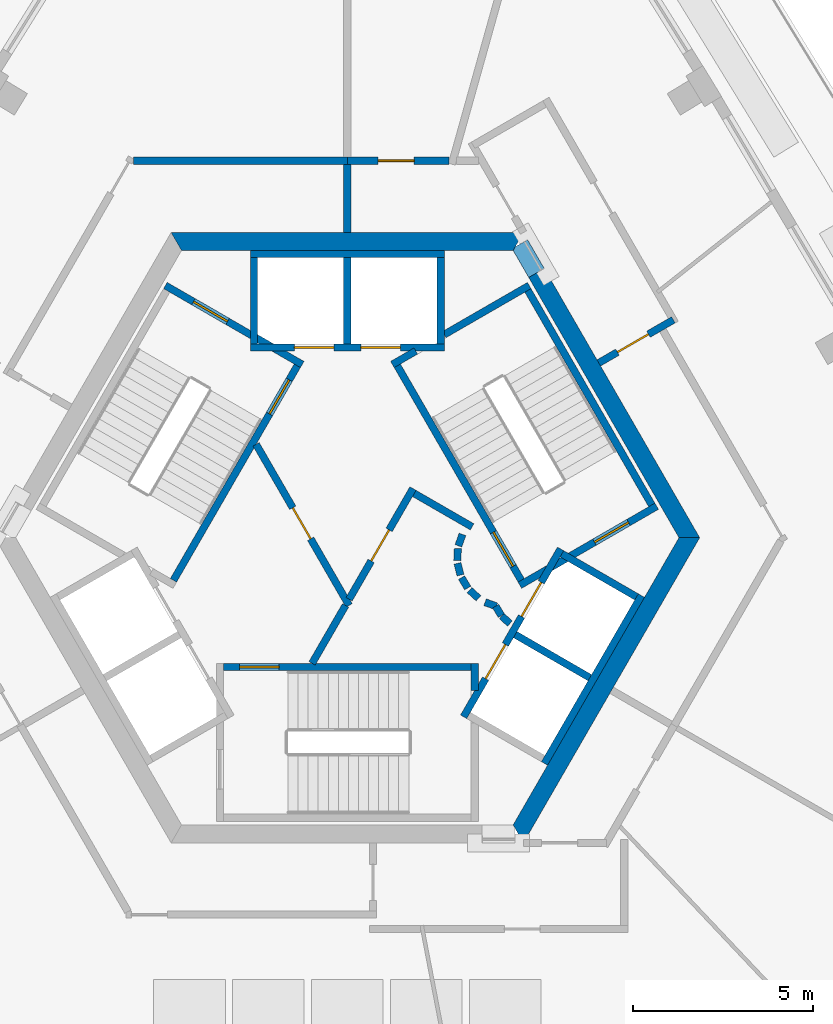
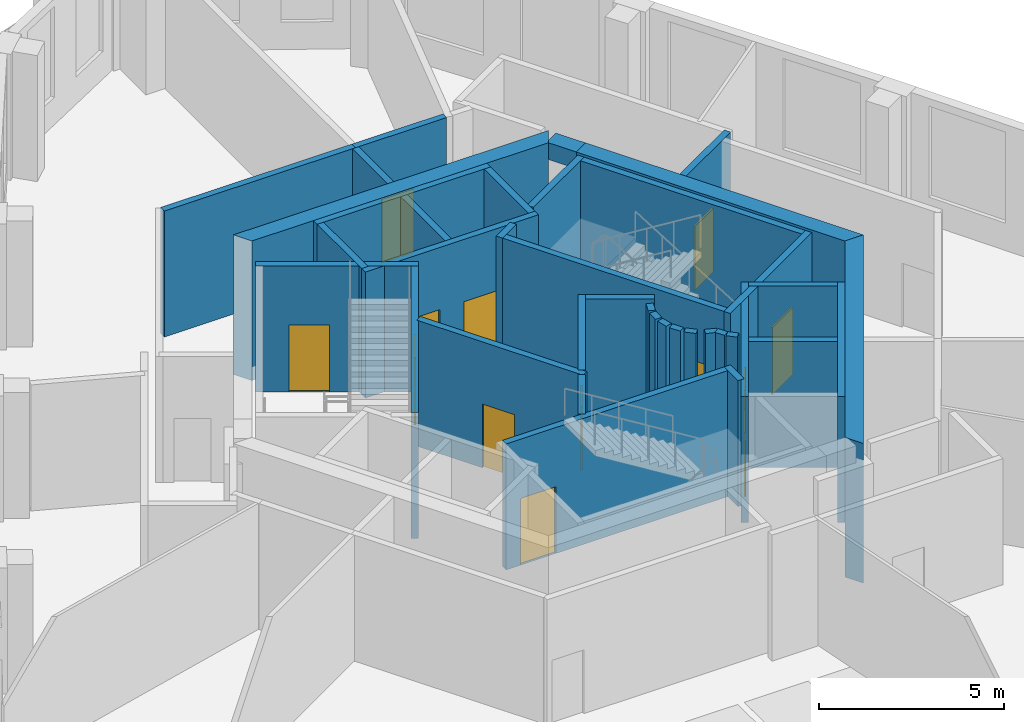
# One storey, part 4 of 9: 38 walls, 13 doors, 13 openings.
"""IFC4 building model written with IfcOpenShell, lengths in metres."""

from ifc_helpers import new_model, si_unit, direction, frame, frame_2d, origin, place, context, subcontext, project, spatial, polyline, rectangle, outline, extrude, material, layer, layer_set, type_object, element, fill, save


model = new_model("IFC4")

# Units and contexts
model_context = context("Model", 3, precision=1e-05, world=origin(), true_north=direction((0.0, 1.0)))
body_context = subcontext(model_context, "Body", "Model", "MODEL_VIEW")
ifc_project = project(units=[si_unit("LENGTHUNIT", "METRE"), si_unit("AREAUNIT", "SQUARE_METRE"), si_unit("VOLUMEUNIT", "CUBIC_METRE"), si_unit("PLANEANGLEUNIT", "RADIAN"), si_unit("MASSUNIT", "GRAM", prefix="KILO")], contexts=[model_context])

# Site, building, storey
site_placement = place(None, origin())
site = spatial("IfcSite", under=ifc_project, at=site_placement, CompositionType="ELEMENT")
building_placement = place(site_placement, origin())
building = spatial("IfcBuilding", under=site, at=building_placement, Name="Entoto Arch Interchange Tower", CompositionType="ELEMENT")
storey_placement = place(building_placement, frame((0.0, 0.0, 331.39990234375)))
storey = spatial("IfcBuildingStorey", under=building, at=storey_placement, Name="L78", CompositionType="ELEMENT", Elevation=331.39990234375)

# Walls
ifc_material_1 = material(Name="Concrete C40/50", Category="concrete")
ifc_layer_1 = layer(ifc_material_1, 0.5)
ifc_layer_set_1 = layer_set([ifc_layer_1], Name="Concrete C40/50")
wall_type_1 = type_object("IfcWallType", Name="Core wall 500 C40/50", PredefinedType="SHEAR", material=ifc_layer_set_1)
wall_1_placement = place(storey_placement, frame((0.0, 0.0, -0.449951171875)))
element("IfcWall", 1, at=wall_1_placement, inside=storey, type_object=wall_type_1, Name="Core wall NE L78", PredefinedType="SHEAR", context=body_context, shape_type="SweptSolid", body=[
    extrude(outline(polyline([(5.486083984375, 9.998046875), (5.052978515625, 9.748046875), (9.238037109375, 2.5), (9.81494140625, 2.5), (5.486083984375, 9.998046875)])), origin(), (0.0, 0.0, 1.0), 4.60009765625),
])
wall_2_placement = place(storey_placement, frame((0.0, 0.0, 3.60009765625)))
element("IfcWall", 2, at=wall_2_placement, inside=storey, type_object=wall_type_1, Name="Core wall lintel NE L78", PredefinedType="SHEAR", context=body_context, shape_type="SweptSolid", body=[
    extrude(outline(polyline([(5.02197265625, 10.800048828125), (4.677001953125, 10.60107421875), (4.618896484375, 10.5), (5.052978515625, 9.748046875), (5.486083984375, 9.998046875), (5.02197265625, 10.800048828125)])), origin(), (0.0, 0.0, 1.0), 0.550048828125),
])
wall_3_placement = place(storey_placement, frame((0.0, 0.0, -0.449951171875)))
element("IfcWall", 3, at=wall_3_placement, inside=storey, type_object=wall_type_1, Name="Core wall N L78", PredefinedType="SHEAR", context=body_context, shape_type="SweptSolid", body=[
    extrude(outline(polyline([(4.906982421875, 11.0), (-4.906982421875, 11.0), (-4.618896484375, 10.5), (4.618896484375, 10.5), (4.906982421875, 11.0)])), origin(), (0.0, 0.0, 1.0), 4.60009765625),
])
wall_4_placement = place(storey_placement, frame((0.0, 0.0, -0.449951171875)))
element("IfcWall", 4, at=wall_4_placement, inside=storey, type_object=wall_type_1, Name="Core wall SE L78", PredefinedType="SHEAR", context=body_context, shape_type="SweptSolid", body=[
    extrude(outline(polyline([(4.906982421875, -6.0), (9.81494140625, 2.5), (9.238037109375, 2.5), (4.618896484375, -5.5), (4.906982421875, -6.0)])), origin(), (0.0, 0.0, 1.0), 4.60009765625),
])

# Wall, openings, doors
ifc_layer_2 = layer(ifc_material_1, 0.199951171875)
ifc_layer_set_2 = layer_set([ifc_layer_2], Name="Concrete C40/50")
wall_type_2 = type_object("IfcWallType", Name="LIFT SHAFT WALL 200", PredefinedType="STANDARD", material=ifc_layer_set_2)
wall_5_placement = place(storey_placement, frame((2.699951171875, 7.800048828125, 0.0), z_axis=(0.0, 0.0, 1.0), x_axis=(-1.0, 0.0, 0.0)))
wall_5 = element("IfcWall", 5, at=wall_5_placement, inside=storey, type_object=wall_type_2, Name="Shaft wall N1 front", PredefinedType="STANDARD", context=body_context, shape_type="SweptSolid", body=[
    extrude(rectangle(XDim=5.39990234375, YDim=0.199951171875, at=frame_2d((2.699951171875, 0.0))), origin(), (0.0, 0.0, 1.0), 4.150146484375),
])
opening_1_placement = place(wall_5_placement, frame((1.22509765625, 0.0, 0.0)))
opening_1 = element("IfcOpeningElement", 6, at=opening_1_placement, cuts=wall_5, Name="Opening LD-HR1-L78", PredefinedType="OPENING", context=body_context, shape_type="SweptSolid", body=[
    extrude(rectangle(XDim=1.10009765625, YDim=2.10009765625, at=frame_2d((0.550048828125, 1.050048828125))), frame((0.0, 0.10986328125, 0.0), z_axis=(0.0, -1.0, 0.0), x_axis=(1.0, 0.0, 0.0)), (0.0, 0.0, 1.0), 0.219970703125),
])
opening_2_placement = place(wall_5_placement, frame((3.074951171875, 0.0, 0.0)))
opening_2 = element("IfcOpeningElement", 7, at=opening_2_placement, cuts=wall_5, Name="Opening LD-HR2-L78", PredefinedType="OPENING", context=body_context, shape_type="SweptSolid", body=[
    extrude(rectangle(XDim=1.10009765625, YDim=2.10009765625, at=frame_2d((0.550048828125, 1.050048828125))), frame((0.0, 0.10986328125, 0.0), z_axis=(0.0, -1.0, 0.0), x_axis=(1.0, 0.0, 0.0)), (0.0, 0.0, 1.0), 0.219970703125),
])
ifc_material_2 = material(Name="Stainless steel 1.4301 panels", Category="steel")
door_type_1 = type_object("IfcDoorType", Name="LIFT LANDING DOOR LD1 1100x2100", OperationType="SLIDING_TO_LEFT", PredefinedType="DOOR", material=ifc_material_2)
door_1_placement = place(opening_1_placement, origin())
door_1 = element("IfcDoor", 8, at=door_1_placement, inside=storey, type_object=door_type_1, Name="Lift landing door HR1 L78", OperationType="SLIDING_TO_LEFT", OverallHeight=2.10009765625, OverallWidth=1.10009765625, PredefinedType="DOOR", context=body_context, shape_type="SweptSolid", body=[
    extrude(rectangle(XDim=1.10009765625, YDim=2.10009765625, at=frame_2d((0.550048828125, 1.050048828125))), frame((0.0, 0.02490234375, 0.0), z_axis=(0.0, -1.0, 0.0), x_axis=(1.0, 0.0, 0.0)), (0.0, 0.0, 1.0), 0.050048828125),
])
fill(opening_1, door_1)
door_2_placement = place(opening_2_placement, origin())
door_2 = element("IfcDoor", 9, at=door_2_placement, inside=storey, type_object=door_type_1, Name="Lift landing door HR2 L78", OperationType="SLIDING_TO_LEFT", OverallHeight=2.10009765625, OverallWidth=1.10009765625, PredefinedType="DOOR", context=body_context, shape_type="SweptSolid", body=[
    extrude(rectangle(XDim=1.10009765625, YDim=2.10009765625, at=frame_2d((0.550048828125, 1.050048828125))), frame((0.0, 0.02490234375, 0.0), z_axis=(0.0, -1.0, 0.0), x_axis=(1.0, 0.0, 0.0)), (0.0, 0.0, 1.0), 0.050048828125),
])
fill(opening_2, door_2)

# Walls
wall_6_placement = place(storey_placement, frame((2.699951171875, 10.39990234375, 0.0), z_axis=(0.0, 0.0, 1.0), x_axis=(-1.0, 0.0, 0.0)))
element("IfcWall", 10, at=wall_6_placement, inside=storey, type_object=wall_type_2, Name="Shaft wall N1 back", PredefinedType="STANDARD", context=body_context, shape_type="SweptSolid", body=[
    extrude(rectangle(XDim=5.39990234375, YDim=0.199951171875, at=frame_2d((2.699951171875, 0.0))), origin(), (0.0, 0.0, 1.0), 4.150146484375),
])
for number, where, z_axis, x_axis, name in (
    (11, (2.60009765625, 7.89990234375, 0.0), (0.0, 0.0, 1.0), (0.0, 1.0, 0.0), "Shaft wall N1 cross 1"),
    (12, (0.0, 7.89990234375, 0.0), (0.0, 0.0, 1.0), (0.0, 1.0, 0.0), "Shaft wall N1 cross 2"),
    (13, (-2.60009765625, 7.89990234375, 0.0), (0.0, 0.0, 1.0), (0.0, 1.0, 0.0), "Shaft wall N1 cross 3"),
):
    element("IfcWall", number, at=place(storey_placement, frame(where, z_axis=z_axis, x_axis=x_axis)), inside=storey, type_object=wall_type_2, Name=name, PredefinedType="STANDARD", context=body_context, shape_type="SweptSolid", body=[
        extrude(rectangle(XDim=2.400146484375, YDim=0.199951171875, at=frame_2d((1.2001953125, 0.0))), origin(), (0.0, 0.0, 1.0), 4.150146484375),
    ])

# Wall, openings, doors
wall_7_placement = place(storey_placement, frame((3.239990234375, -2.488037109375, 0.0), z_axis=(0.0, 0.0, 1.0), x_axis=(0.500034260056, 0.866005622828, 0.0)))
wall_7 = element("IfcWall", 14, at=wall_7_placement, inside=storey, type_object=wall_type_2, Name="Shaft wall SE1 front", PredefinedType="STANDARD", context=body_context, shape_type="SweptSolid", body=[
    extrude(rectangle(XDim=5.3994140625, YDim=0.199951171875, at=frame_2d((2.69970703125, 0.0))), origin(), (0.0, 0.0, 1.0), 4.150146484375),
])
opening_3_placement = place(wall_7_placement, frame((3.22509765625, 0.0, 0.0)))
opening_3 = element("IfcOpeningElement", 15, at=opening_3_placement, cuts=wall_7, Name="Opening LD-HR3-L78", PredefinedType="OPENING", context=body_context, shape_type="SweptSolid", body=[
    extrude(rectangle(XDim=1.10009765625, YDim=2.10009765625, at=frame_2d((0.550048828125, 1.050048828125))), frame((0.0, 0.10986328125, 0.0), z_axis=(0.0, -1.0, 0.0), x_axis=(1.0, 0.0, 0.0)), (0.0, 0.0, 1.0), 0.219970703125),
])
opening_4_placement = place(wall_7_placement, frame((1.22509765625, 0.0, 0.0)))
opening_4 = element("IfcOpeningElement", 16, at=opening_4_placement, cuts=wall_7, Name="Opening LD-FF1-L78", PredefinedType="OPENING", context=body_context, shape_type="SweptSolid", body=[
    extrude(rectangle(XDim=1.10009765625, YDim=2.10009765625, at=frame_2d((0.550048828125, 1.050048828125))), frame((0.0, 0.10986328125, 0.0), z_axis=(0.0, -1.0, 0.0), x_axis=(1.0, 0.0, 0.0)), (0.0, 0.0, 1.0), 0.219970703125),
])
door_3_placement = place(opening_3_placement, origin())
door_3 = element("IfcDoor", 17, at=door_3_placement, inside=storey, type_object=door_type_1, Name="Lift landing door HR3 L78", OperationType="SLIDING_TO_LEFT", OverallHeight=2.10009765625, OverallWidth=1.10009765625, PredefinedType="DOOR", context=body_context, shape_type="SweptSolid", body=[
    extrude(rectangle(XDim=1.10009765625, YDim=2.10009765625, at=frame_2d((0.550048828125, 1.050048828125))), frame((0.0, 0.02490234375, 0.0), z_axis=(0.0, -1.0, 0.0), x_axis=(1.0, 0.0, 0.0)), (0.0, 0.0, 1.0), 0.050048828125),
])
fill(opening_3, door_3)
door_4_placement = place(opening_4_placement, origin())
door_4 = element("IfcDoor", 18, at=door_4_placement, inside=storey, type_object=door_type_1, Name="Lift landing door FF1 L78", OperationType="SLIDING_TO_LEFT", OverallHeight=2.10009765625, OverallWidth=1.10009765625, PredefinedType="DOOR", context=body_context, shape_type="SweptSolid", body=[
    extrude(rectangle(XDim=1.10009765625, YDim=2.10009765625, at=frame_2d((0.550048828125, 1.050048828125))), frame((0.0, 0.02490234375, 0.0), z_axis=(0.0, -1.0, 0.0), x_axis=(1.0, 0.0, 0.0)), (0.0, 0.0, 1.0), 0.050048828125),
])
fill(opening_4, door_4)

# Walls
wall_8_placement = place(storey_placement, frame((5.491943359375, -3.7880859375, 0.0), z_axis=(0.0, 0.0, 1.0), x_axis=(0.500034260056, 0.866005622828, 0.0)))
element("IfcWall", 19, at=wall_8_placement, inside=storey, type_object=wall_type_2, Name="Shaft wall SE1 back", PredefinedType="STANDARD", context=body_context, shape_type="SweptSolid", body=[
    extrude(rectangle(XDim=5.3994140625, YDim=0.199951171875, at=frame_2d((2.69970703125, 0.0))), origin(), (0.0, 0.0, 1.0), 4.150146484375),
])
for number, where, z_axis, x_axis, name in (
    (20, (4.677001953125, -0.199951171875, 0.0), (0.0, 0.0, 1.0), (0.865973769406, -0.500089422704, 0.0), "Shaft wall SE1 cross 2"),
    (21, (5.97705078125, 2.052001953125, 0.0), (0.0, 0.0, 1.0), (0.865973769406, -0.500089422704, 0.0), "Shaft wall SE1 cross 3"),
):
    element("IfcWall", number, at=place(storey_placement, frame(where, z_axis=z_axis, x_axis=x_axis)), inside=storey, type_object=wall_type_2, Name=name, PredefinedType="STANDARD", context=body_context, shape_type="SweptSolid", body=[
        extrude(rectangle(XDim=2.3994140625, YDim=0.199951171875, at=frame_2d((1.19970703125, 0.0))), origin(), (0.0, 0.0, 1.0), 4.150146484375),
    ])
ifc_material_3 = material(Name="Gypsum board partition on steel studs", Category="steel")
ifc_layer_3 = layer(ifc_material_3, 0.199951171875)
ifc_layer_set_3 = layer_set([ifc_layer_3], Name="Gypsum board partition on steel studs")
wall_type_3 = type_object("IfcWallType", Name="PARTITION 200", PredefinedType="PARTITIONING", material=ifc_layer_set_3)
wall_9_placement = place(storey_placement, frame((-0.98193359375, -1.0, 0.0), z_axis=(0.0, 0.0, 1.0), x_axis=(0.50024047865, 0.865886518847, 0.0)))
element("IfcWall", 22, at=wall_9_placement, inside=storey, type_object=wall_type_3, Name="wall:L78:p001", PredefinedType="PARTITIONING", context=body_context, shape_type="SweptSolid", body=[
    extrude(rectangle(XDim=1.86279296875, YDim=0.199951171875, at=frame_2d((0.931396484375, 0.0))), origin(), (0.0, 0.0, 1.0), 4.150146484375),
])
wall_10_placement = place(storey_placement, frame((1.865966796875, 3.73193359375, 0.0), z_axis=(0.0, 0.0, 1.0), x_axis=(0.866043361281, -0.499968895414, 0.0)))
element("IfcWall", 23, at=wall_10_placement, inside=storey, type_object=wall_type_3, Name="wall:L78:p002", PredefinedType="PARTITIONING", context=body_context, shape_type="SweptSolid", body=[
    extrude(rectangle(XDim=1.85791015625, YDim=0.199951171875, at=frame_2d((0.928955078125, 0.0))), origin(), (0.0, 0.0, 1.0), 4.150146484375),
])
wall_11_placement = place(storey_placement, frame((3.2080078125, 2.592041015625, 0.0), z_axis=(0.0, 0.0, 1.0), x_axis=(-0.337388820924, -0.941365382578, 0.0)))
element("IfcWall", 24, at=wall_11_placement, inside=storey, type_object=wall_type_3, Name="wall:L78:p003", PredefinedType="PARTITIONING", context=body_context, shape_type="SweptSolid", body=[
    extrude(rectangle(XDim=0.337890625, YDim=0.199951171875, at=frame_2d((0.1689453125, 0.0))), origin(), (0.0, 0.0, 1.0), 4.150146484375),
])
wall_12_placement = place(storey_placement, frame((3.0791015625, 2.198974609375, 0.0), z_axis=(0.0, 0.0, 1.0), x_axis=(-0.047771483479, -0.998858290933, 0.0)))
element("IfcWall", 25, at=wall_12_placement, inside=storey, type_object=wall_type_3, Name="wall:L78:p004", PredefinedType="PARTITIONING", context=body_context, shape_type="SweptSolid", body=[
    extrude(rectangle(XDim=0.33740234375, YDim=0.199951171875, at=frame_2d((0.168701171875, 0.0))), origin(), (0.0, 0.0, 1.0), 4.150146484375),
])
wall_13_placement = place(storey_placement, frame((3.070068359375, 1.785888671875, 0.0), z_axis=(0.0, 0.0, 1.0), x_axis=(0.242705583207, -0.970099994784, 0.0)))
element("IfcWall", 26, at=wall_13_placement, inside=storey, type_object=wall_type_3, Name="wall:L78:p005", PredefinedType="PARTITIONING", context=body_context, shape_type="SweptSolid", body=[
    extrude(rectangle(XDim=0.337890625, YDim=0.199951171875, at=frame_2d((0.1689453125, 0.0))), origin(), (0.0, 0.0, 1.0), 4.150146484375),
])
for number, where, z_axis, x_axis, name in (
    (27, (3.181884765625, 1.387939453125, 0.0), (0.0, 0.0, 1.0), (0.512474702713, -0.85870232274, 0.0), "wall:L78:p006"),
    (28, (3.404052734375, 1.0390625, 0.0), (0.0, 0.0, 1.0), (0.740267097712, -0.672312891476, 0.0), "wall:L78:p007"),
):
    element("IfcWall", number, at=place(storey_placement, frame(where, z_axis=z_axis, x_axis=x_axis)), inside=storey, type_object=wall_type_3, Name=name, PredefinedType="PARTITIONING", context=body_context, shape_type="SweptSolid", body=[
        extrude(rectangle(XDim=0.337646484375, YDim=0.199951171875, at=frame_2d((0.1689453125, 0.0))), origin(), (0.0, 0.0, 1.0), 4.150146484375),
    ])
wall_14_placement = place(storey_placement, frame((3.837890625, 0.701904296875, 0.0), z_axis=(0.0, 0.0, 1.0), x_axis=(0.941035081519, -0.338308993895, 0.0)))
element("IfcWall", 29, at=wall_14_placement, inside=storey, type_object=wall_type_3, Name="wall:L78:p008", PredefinedType="PARTITIONING", context=body_context, shape_type="SweptSolid", body=[
    extrude(rectangle(XDim=0.3369140625, YDim=0.199951171875, at=frame_2d((0.16845703125, 0.0))), origin(), (0.0, 0.0, 1.0), 4.150146484375),
])
wall_15_placement = place(storey_placement, frame((4.132080078125, 0.593017578125, 0.0), z_axis=(0.0, 0.0, 1.0), x_axis=(0.513561617048, -0.858052717201, 0.0)))
element("IfcWall", 30, at=wall_15_placement, inside=storey, type_object=wall_type_3, Name="wall:L78:p009", PredefinedType="PARTITIONING", context=body_context, shape_type="SweptSolid", body=[
    extrude(rectangle(XDim=0.3076171875, YDim=0.199951171875, at=frame_2d((0.15380859375, 0.0))), origin(), (0.0, 0.0, 1.0), 4.150146484375),
])
wall_16_placement = place(storey_placement, frame((4.301025390625, 0.31494140625, 0.0), z_axis=(0.0, 0.0, 1.0), x_axis=(0.741798017506, -0.670623367639, 0.0)))
element("IfcWall", 31, at=wall_16_placement, inside=storey, type_object=wall_type_3, Name="wall:L78:p010", PredefinedType="PARTITIONING", context=body_context, shape_type="SweptSolid", body=[
    extrude(rectangle(XDim=0.30859375, YDim=0.199951171875, at=frame_2d((0.154296875, 0.0))), origin(), (0.0, 0.0, 1.0), 4.150146484375),
])

# Wall, opening, door
wall_17_placement = place(storey_placement, frame((0.050048828125, 0.787109375, 0.0), z_axis=(0.0, 0.0, 1.0), x_axis=(0.499954076797, 0.866051915934, 0.0)))
wall_17 = element("IfcWall", 32, at=wall_17_placement, inside=storey, type_object=wall_type_3, Name="wall:L78:p011", PredefinedType="PARTITIONING", context=body_context, shape_type="SweptSolid", body=[
    extrude(rectangle(XDim=3.558349609375, YDim=0.199951171875, at=frame_2d((1.779296875, 0.0))), origin(), (0.0, 0.0, 1.0), 4.150146484375),
])
opening_5_placement = place(wall_17_placement, frame((1.22900390625, 0.0, 0.0)))
opening_5 = element("IfcOpeningElement", 33, at=opening_5_placement, cuts=wall_17, Name="Opening L78-D16", PredefinedType="OPENING", context=body_context, shape_type="SweptSolid", body=[
    extrude(rectangle(XDim=1.0, YDim=2.10009765625, at=frame_2d((0.5, 1.050048828125))), frame((0.0, 0.10986328125, 0.0), z_axis=(0.0, -1.0, 0.0), x_axis=(1.0, 0.0, 0.0)), (0.0, 0.0, 1.0), 0.219970703125),
])
ifc_material_4 = material(Name="Fire-rated Steel S235 door and frame", Category="steel")
door_type_2 = type_object("IfcDoorType", Name="DOOR FD-10 1000x2100", OperationType="SINGLE_SWING_LEFT", PredefinedType="DOOR", material=ifc_material_4)
door_5_placement = place(opening_5_placement, origin())
door_5 = element("IfcDoor", 34, at=door_5_placement, inside=storey, type_object=door_type_2, Name="door:L78:16", OperationType="SINGLE_SWING_RIGHT", OverallHeight=2.10009765625, OverallWidth=1.0, PredefinedType="DOOR", context=body_context, shape_type="SweptSolid", body=[
    extrude(rectangle(XDim=1.0, YDim=2.10009765625, at=frame_2d((0.5, 1.050048828125))), frame((0.0, 0.02490234375, 0.0), z_axis=(0.0, -1.0, 0.0), x_axis=(1.0, 0.0, 0.0)), (0.0, 0.0, 1.0), 0.050048828125),
])
fill(opening_5, door_5)

wall_18_placement = place(storey_placement, frame((-2.5400390625, 5.10009765625, 0.0), z_axis=(0.0, 0.0, 1.0), x_axis=(0.499925051871, -0.866068670783, 0.0)))
wall_18 = element("IfcWall", 35, at=wall_18_placement, inside=storey, type_object=wall_type_3, Name="wall:L78:p012", PredefinedType="PARTITIONING", context=body_context, shape_type="SweptSolid", body=[
    extrude(rectangle(XDim=5.180908203125, YDim=0.199951171875, at=frame_2d((2.59033203125, 0.0))), origin(), (0.0, 0.0, 1.0), 4.150146484375),
])
opening_6_placement = place(wall_18_placement, frame((2.0400390625, 0.0, 0.0)))
opening_6 = element("IfcOpeningElement", 36, at=opening_6_placement, cuts=wall_18, Name="Opening L78-D17", PredefinedType="OPENING", context=body_context, shape_type="SweptSolid", body=[
    extrude(rectangle(XDim=1.0, YDim=2.10009765625, at=frame_2d((0.5, 1.050048828125))), frame((0.0, 0.10986328125, 0.0), z_axis=(0.0, -1.0, 0.0), x_axis=(1.0, 0.0, 0.0)), (0.0, 0.0, 1.0), 0.219970703125),
])
door_6_placement = place(opening_6_placement, origin())
door_6 = element("IfcDoor", 37, at=door_6_placement, inside=storey, type_object=door_type_2, Name="door:L78:17", OperationType="SINGLE_SWING_RIGHT", OverallHeight=2.10009765625, OverallWidth=1.0, PredefinedType="DOOR", context=body_context, shape_type="SweptSolid", body=[
    extrude(rectangle(XDim=1.0, YDim=2.10009765625, at=frame_2d((0.5, 1.050048828125))), frame((0.0, 0.02490234375, 0.0), z_axis=(0.0, -1.0, 0.0), x_axis=(1.0, 0.0, 0.0)), (0.0, 0.0, 1.0), 0.050048828125),
])
fill(opening_6, door_6)

wall_19_placement = place(storey_placement, frame((9.08203125, 8.568115234375, 0.0), z_axis=(0.0, 0.0, 1.0), x_axis=(-0.865955154139, -0.50012165622, 0.0)))
wall_19 = element("IfcWall", 38, at=wall_19_placement, inside=storey, type_object=wall_type_3, Name="wall:L78:p027", PredefinedType="PARTITIONING", context=body_context, shape_type="SweptSolid", body=[
    extrude(rectangle(XDim=2.39990234375, YDim=0.199951171875, at=frame_2d((1.199951171875, 0.0))), origin(), (0.0, 0.0, 1.0), 4.150146484375),
])
opening_7_placement = place(wall_19_placement, frame((0.800048828125, 0.0, 0.0)))
opening_7 = element("IfcOpeningElement", 39, at=opening_7_placement, cuts=wall_19, Name="Opening L78-D06", PredefinedType="OPENING", context=body_context, shape_type="SweptSolid", body=[
    extrude(rectangle(XDim=1.0, YDim=2.10009765625, at=frame_2d((0.5, 1.050048828125))), frame((0.0, 0.10986328125, 0.0), z_axis=(0.0, -1.0, 0.0), x_axis=(1.0, 0.0, 0.0)), (0.0, 0.0, 1.0), 0.219970703125),
])
door_7_placement = place(opening_7_placement, origin())
door_7 = element("IfcDoor", 40, at=door_7_placement, inside=storey, type_object=door_type_2, Name="door:L78:06", OperationType="SINGLE_SWING_LEFT", OverallHeight=2.10009765625, OverallWidth=1.0, PredefinedType="DOOR", context=body_context, shape_type="SweptSolid", body=[
    extrude(rectangle(XDim=1.0, YDim=2.10009765625, at=frame_2d((0.5, 1.050048828125))), frame((0.0, 0.02490234375, 0.0), z_axis=(0.0, -1.0, 0.0), x_axis=(1.0, 0.0, 0.0)), (0.0, 0.0, 1.0), 0.050048828125),
])
fill(opening_7, door_7)

wall_20_placement = place(storey_placement, frame((0.0, 13.0, 0.0), z_axis=(0.0, 0.0, 1.0), x_axis=(1.0, 0.0, 0.0)))
wall_20 = element("IfcWall", 41, at=wall_20_placement, inside=storey, type_object=wall_type_3, Name="wall:L78:p034", PredefinedType="PARTITIONING", context=body_context, shape_type="SweptSolid", body=[
    extrude(rectangle(XDim=2.837890625, YDim=0.199951171875, at=frame_2d((1.4189453125, 0.0))), origin(), (0.0, 0.0, 1.0), 4.150146484375),
])
opening_8_placement = place(wall_20_placement, frame((0.85888671875, 0.0, 0.0)))
opening_8 = element("IfcOpeningElement", 42, at=opening_8_placement, cuts=wall_20, Name="Opening L78-D10", PredefinedType="OPENING", context=body_context, shape_type="SweptSolid", body=[
    extrude(rectangle(XDim=1.0, YDim=2.10009765625, at=frame_2d((0.5, 1.050048828125))), frame((0.0, 0.10986328125, 0.0), z_axis=(0.0, -1.0, 0.0), x_axis=(1.0, 0.0, 0.0)), (0.0, 0.0, 1.0), 0.219970703125),
])
ifc_material_5 = material(Name="Timber door leaf in Steel S235 frame", Category="steel")
door_type_3 = type_object("IfcDoorType", Name="DOOR DS-10 1000x2100", OperationType="SINGLE_SWING_LEFT", PredefinedType="DOOR", material=ifc_material_5)
door_8_placement = place(opening_8_placement, origin())
door_8 = element("IfcDoor", 43, at=door_8_placement, inside=storey, type_object=door_type_3, Name="door:L78:10", OperationType="SINGLE_SWING_LEFT", OverallHeight=2.10009765625, OverallWidth=1.0, PredefinedType="DOOR", context=body_context, shape_type="SweptSolid", body=[
    extrude(rectangle(XDim=1.0, YDim=2.10009765625, at=frame_2d((0.5, 1.050048828125))), frame((0.0, 0.02490234375, 0.0), z_axis=(0.0, -1.0, 0.0), x_axis=(1.0, 0.0, 0.0)), (0.0, 0.0, 1.0), 0.050048828125),
])
fill(opening_8, door_8)

# Walls
wall_21_placement = place(storey_placement, frame((0.0, 11.0, 0.0), z_axis=(0.0, 0.0, 1.0), x_axis=(0.0, 1.0, 0.0)))
element("IfcWall", 44, at=wall_21_placement, inside=storey, type_object=wall_type_3, Name="wall:L78:p035", PredefinedType="PARTITIONING", context=body_context, shape_type="SweptSolid", body=[
    extrude(rectangle(XDim=1.89990234375, YDim=0.199951171875, at=frame_2d((0.949951171875, 0.0))), origin(), (0.0, 0.0, 1.0), 4.150146484375),
])
wall_22_placement = place(storey_placement, frame((-5.9619140625, 13.0, 0.0), z_axis=(0.0, 0.0, 1.0), x_axis=(1.0, 0.0, 0.0)))
element("IfcWall", 45, at=wall_22_placement, inside=storey, type_object=wall_type_3, Name="wall:L78:p046", PredefinedType="PARTITIONING", context=body_context, shape_type="SweptSolid", body=[
    extrude(rectangle(XDim=5.9619140625, YDim=0.199951171875, at=frame_2d((2.98095703125, 0.0))), origin(), (0.0, 0.0, 1.0), 4.150146484375),
])
ifc_layer_4 = layer(ifc_material_1, 0.199951171875)
ifc_layer_set_4 = layer_set([ifc_layer_4], Name="Concrete C40/50")
wall_type_4 = type_object("IfcWallType", Name="STAIR ENCLOSURE WALL 200", PredefinedType="STANDARD", material=ifc_layer_set_4)
wall_23_placement = place(storey_placement, frame((3.550048828125, -1.0, 0.0), z_axis=(0.0, 0.0, 1.0), x_axis=(0.0, -1.0, 0.0)))
element("IfcWall", 46, at=wall_23_placement, inside=storey, type_object=wall_type_4, Name="Stair wall ST-S far return", PredefinedType="STANDARD", context=body_context, shape_type="SweptSolid", body=[
    extrude(rectangle(XDim=0.7509765625, YDim=0.199951171875, at=frame_2d((0.37548828125, 0.0))), origin(), (0.0, 0.0, 1.0), 4.150146484375),
])

# Wall, opening, door
wall_24_placement = place(storey_placement, frame((-3.449951171875, -1.10009765625, 0.0), z_axis=(0.0, 0.0, 1.0), x_axis=(1.0, 0.0, 0.0)))
wall_24 = element("IfcWall", 47, at=wall_24_placement, inside=storey, type_object=wall_type_4, Name="Stair wall ST-S hall", PredefinedType="STANDARD", context=body_context, shape_type="SweptSolid", body=[
    extrude(rectangle(XDim=6.89990234375, YDim=0.199951171875, at=frame_2d((3.449951171875, 0.0))), origin(), (0.0, 0.0, 1.0), 4.150146484375),
])
opening_9_placement = place(wall_24_placement, frame((0.449951171875, 0.0, 0.0)))
opening_9 = element("IfcOpeningElement", 48, at=opening_9_placement, cuts=wall_24, Name="Opening SD-ST-S-L78", PredefinedType="OPENING", context=body_context, shape_type="SweptSolid", body=[
    extrude(rectangle(XDim=1.10009765625, YDim=2.199951171875, at=frame_2d((0.550048828125, 1.10009765625))), frame((0.0, 0.10986328125, 0.0), z_axis=(0.0, -1.0, 0.0), x_axis=(1.0, 0.0, 0.0)), (0.0, 0.0, 1.0), 0.219970703125),
])
ifc_material_6 = material(Name="Steel S235", Category="steel")
door_type_4 = type_object("IfcDoorType", Name="STAIR DOOR SD1 1100x2200", OperationType="SINGLE_SWING_LEFT", PredefinedType="DOOR", material=ifc_material_6)
door_9_placement = place(opening_9_placement, origin())
door_9 = element("IfcDoor", 49, at=door_9_placement, inside=storey, type_object=door_type_4, Name="Stair door ST-S L78", OperationType="SINGLE_SWING_LEFT", OverallHeight=2.199951171875, OverallWidth=1.10009765625, PredefinedType="DOOR", context=body_context, shape_type="SweptSolid", body=[
    extrude(rectangle(XDim=1.10009765625, YDim=2.199951171875, at=frame_2d((0.550048828125, 1.10009765625))), frame((0.0, 0.02490234375, 0.0), z_axis=(0.0, -1.0, 0.0), x_axis=(1.0, 0.0, 0.0)), (0.0, 0.0, 1.0), 0.050048828125),
])
fill(opening_9, door_9)

wall_25_placement = place(storey_placement, frame((4.805908203125, 1.176025390625, 0.0), z_axis=(0.0, 0.0, 1.0), x_axis=(0.866059941101, 0.499940174841, 0.0)))
wall_25 = element("IfcWall", 50, at=wall_25_placement, inside=storey, type_object=wall_type_4, Name="Stair wall ST-NE near", PredefinedType="STANDARD", context=body_context, shape_type="SweptSolid", body=[
    extrude(rectangle(XDim=4.400390625, YDim=0.199951171875, at=frame_2d((2.2001953125, 0.0))), origin(), (0.0, 0.0, 1.0), 4.150146484375),
])
opening_10_placement = place(wall_25_placement, frame((2.39990234375, 0.0, 0.0)))
opening_10 = element("IfcOpeningElement", 51, at=opening_10_placement, cuts=wall_25, Name="Opening SD-ST-NE-L78-E", PredefinedType="OPENING", context=body_context, shape_type="SweptSolid", body=[
    extrude(rectangle(XDim=1.10009765625, YDim=2.199951171875, at=frame_2d((0.550048828125, 1.10009765625))), frame((0.0, 0.10986328125, 0.0), z_axis=(0.0, -1.0, 0.0), x_axis=(1.0, 0.0, 0.0)), (0.0, 0.0, 1.0), 0.219970703125),
])
door_10_placement = place(opening_10_placement, origin())
door_10 = element("IfcDoor", 52, at=door_10_placement, inside=storey, type_object=door_type_4, Name="Stair door ST-NE L78 end", OperationType="SINGLE_SWING_LEFT", OverallHeight=2.199951171875, OverallWidth=1.10009765625, PredefinedType="DOOR", context=body_context, shape_type="SweptSolid", body=[
    extrude(rectangle(XDim=1.10009765625, YDim=2.199951171875, at=frame_2d((0.550048828125, 1.10009765625))), frame((0.0, 0.02490234375, 0.0), z_axis=(0.0, -1.0, 0.0), x_axis=(1.0, 0.0, 0.0)), (0.0, 0.0, 1.0), 0.050048828125),
])
fill(opening_10, door_10)

# Walls
wall_26_placement = place(storey_placement, frame((2.699951171875, 8.157958984375, 0.0), z_axis=(0.0, 0.0, 1.0), x_axis=(0.86611865017, 0.499838457731, 0.0)))
element("IfcWall", 53, at=wall_26_placement, inside=storey, type_object=wall_type_4, Name="Stair wall ST-NE far", PredefinedType="STANDARD", context=body_context, shape_type="SweptSolid", body=[
    extrude(rectangle(XDim=2.73291015625, YDim=0.199951171875, at=frame_2d((1.366455078125, 0.0))), origin(), (0.0, 0.0, 1.0), 4.150146484375),
])
wall_27_placement = place(storey_placement, frame((1.256103515625, 7.323974609375, 0.0), z_axis=(0.0, 0.0, 1.0), x_axis=(0.865915093549, 0.500191014278, 0.0)))
element("IfcWall", 54, at=wall_27_placement, inside=storey, type_object=wall_type_4, Name="Stair wall ST-NE far return", PredefinedType="STANDARD", context=body_context, shape_type="SweptSolid", body=[
    extrude(rectangle(XDim=0.751708984375, YDim=0.199951171875, at=frame_2d((0.3759765625, 0.0))), origin(), (0.0, 0.0, 1.0), 4.150146484375),
])

# Wall, opening, door
wall_28_placement = place(storey_placement, frame((4.843017578125, 1.31201171875, 0.0), z_axis=(0.0, 0.0, 1.0), x_axis=(-0.499963383562, 0.866046543262, 0.0)))
wall_28 = element("IfcWall", 55, at=wall_28_placement, inside=storey, type_object=wall_type_4, Name="Stair wall ST-NE hall", PredefinedType="STANDARD", context=body_context, shape_type="SweptSolid", body=[
    extrude(rectangle(XDim=6.900390625, YDim=0.199951171875, at=frame_2d((3.4501953125, 0.0))), origin(), (0.0, 0.0, 1.0), 4.150146484375),
])
opening_11_placement = place(wall_28_placement, frame((0.449951171875, 0.0, 0.0)))
opening_11 = element("IfcOpeningElement", 56, at=opening_11_placement, cuts=wall_28, Name="Opening SD-ST-NE-L78", PredefinedType="OPENING", context=body_context, shape_type="SweptSolid", body=[
    extrude(rectangle(XDim=1.10009765625, YDim=2.199951171875, at=frame_2d((0.550048828125, 1.10009765625))), frame((0.0, 0.10986328125, 0.0), z_axis=(0.0, -1.0, 0.0), x_axis=(1.0, 0.0, 0.0)), (0.0, 0.0, 1.0), 0.219970703125),
])
door_11_placement = place(opening_11_placement, origin())
door_11 = element("IfcDoor", 57, at=door_11_placement, inside=storey, type_object=door_type_4, Name="Stair door ST-NE L78", OperationType="SINGLE_SWING_LEFT", OverallHeight=2.199951171875, OverallWidth=1.10009765625, PredefinedType="DOOR", context=body_context, shape_type="SweptSolid", body=[
    extrude(rectangle(XDim=1.10009765625, YDim=2.199951171875, at=frame_2d((0.550048828125, 1.10009765625))), frame((0.0, 0.02490234375, 0.0), z_axis=(0.0, -1.0, 0.0), x_axis=(1.0, 0.0, 0.0)), (0.0, 0.0, 1.0), 0.050048828125),
])
fill(opening_11, door_11)

# Wall
wall_29_placement = place(storey_placement, frame((8.47998046875, 3.412109375, 0.0), z_axis=(0.0, 0.0, 1.0), x_axis=(-0.499978703459, 0.866037698999, 0.0)))
element("IfcWall", 58, at=wall_29_placement, inside=storey, type_object=wall_type_4, Name="Stair wall ST-NE back", PredefinedType="STANDARD", context=body_context, shape_type="SweptSolid", body=[
    extrude(rectangle(XDim=6.900146484375, YDim=0.199951171875, at=frame_2d((3.4501953125, 0.0))), origin(), (0.0, 0.0, 1.0), 4.150146484375),
])

# Wall, opening, door
wall_30_placement = place(storey_placement, frame((-1.256103515625, 7.323974609375, 0.0), z_axis=(0.0, 0.0, 1.0), x_axis=(-0.866046073146, 0.499964197906, 0.0)))
wall_30 = element("IfcWall", 59, at=wall_30_placement, inside=storey, type_object=wall_type_4, Name="Stair wall ST-NW near", PredefinedType="STANDARD", context=body_context, shape_type="SweptSolid", body=[
    extrude(rectangle(XDim=4.400146484375, YDim=0.199951171875, at=frame_2d((2.2001953125, 0.0))), origin(), (0.0, 0.0, 1.0), 4.150146484375),
])
opening_12_placement = place(wall_30_placement, frame((2.39990234375, 0.0, 0.0)))
opening_12 = element("IfcOpeningElement", 60, at=opening_12_placement, cuts=wall_30, Name="Opening SD-ST-NW-L78-E", PredefinedType="OPENING", context=body_context, shape_type="SweptSolid", body=[
    extrude(rectangle(XDim=1.10009765625, YDim=2.199951171875, at=frame_2d((0.550048828125, 1.10009765625))), frame((0.0, 0.10986328125, 0.0), z_axis=(0.0, -1.0, 0.0), x_axis=(1.0, 0.0, 0.0)), (0.0, 0.0, 1.0), 0.219970703125),
])
door_12_placement = place(opening_12_placement, origin())
door_12 = element("IfcDoor", 61, at=door_12_placement, inside=storey, type_object=door_type_4, Name="Stair door ST-NW L78 end", OperationType="SINGLE_SWING_LEFT", OverallHeight=2.199951171875, OverallWidth=1.10009765625, PredefinedType="DOOR", context=body_context, shape_type="SweptSolid", body=[
    extrude(rectangle(XDim=1.10009765625, YDim=2.199951171875, at=frame_2d((0.550048828125, 1.10009765625))), frame((0.0, 0.02490234375, 0.0), z_axis=(0.0, -1.0, 0.0), x_axis=(1.0, 0.0, 0.0)), (0.0, 0.0, 1.0), 0.050048828125),
])
fill(opening_12, door_12)

wall_31_placement = place(storey_placement, frame((-1.39306640625, 7.2880859375, 0.0), z_axis=(0.0, 0.0, 1.0), x_axis=(-0.499963383562, -0.866046543262, 0.0)))
wall_31 = element("IfcWall", 62, at=wall_31_placement, inside=storey, type_object=wall_type_4, Name="Stair wall ST-NW hall", PredefinedType="STANDARD", context=body_context, shape_type="SweptSolid", body=[
    extrude(rectangle(XDim=6.900390625, YDim=0.199951171875, at=frame_2d((3.4501953125, 0.0))), origin(), (0.0, 0.0, 1.0), 4.150146484375),
])
opening_13_placement = place(wall_31_placement, frame((0.449951171875, 0.0, 0.0)))
opening_13 = element("IfcOpeningElement", 63, at=opening_13_placement, cuts=wall_31, Name="Opening SD-ST-NW-L78", PredefinedType="OPENING", context=body_context, shape_type="SweptSolid", body=[
    extrude(rectangle(XDim=1.10009765625, YDim=2.199951171875, at=frame_2d((0.550048828125, 1.10009765625))), frame((0.0, 0.10986328125, 0.0), z_axis=(0.0, -1.0, 0.0), x_axis=(1.0, 0.0, 0.0)), (0.0, 0.0, 1.0), 0.219970703125),
])
door_13_placement = place(opening_13_placement, origin())
door_13 = element("IfcDoor", 64, at=door_13_placement, inside=storey, type_object=door_type_4, Name="Stair door ST-NW L78", OperationType="SINGLE_SWING_LEFT", OverallHeight=2.199951171875, OverallWidth=1.10009765625, PredefinedType="DOOR", context=body_context, shape_type="SweptSolid", body=[
    extrude(rectangle(XDim=1.10009765625, YDim=2.199951171875, at=frame_2d((0.550048828125, 1.10009765625))), frame((0.0, 0.02490234375, 0.0), z_axis=(0.0, -1.0, 0.0), x_axis=(1.0, 0.0, 0.0)), (0.0, 0.0, 1.0), 0.050048828125),
])
fill(opening_13, door_13)

save(model, "model.ifc")
